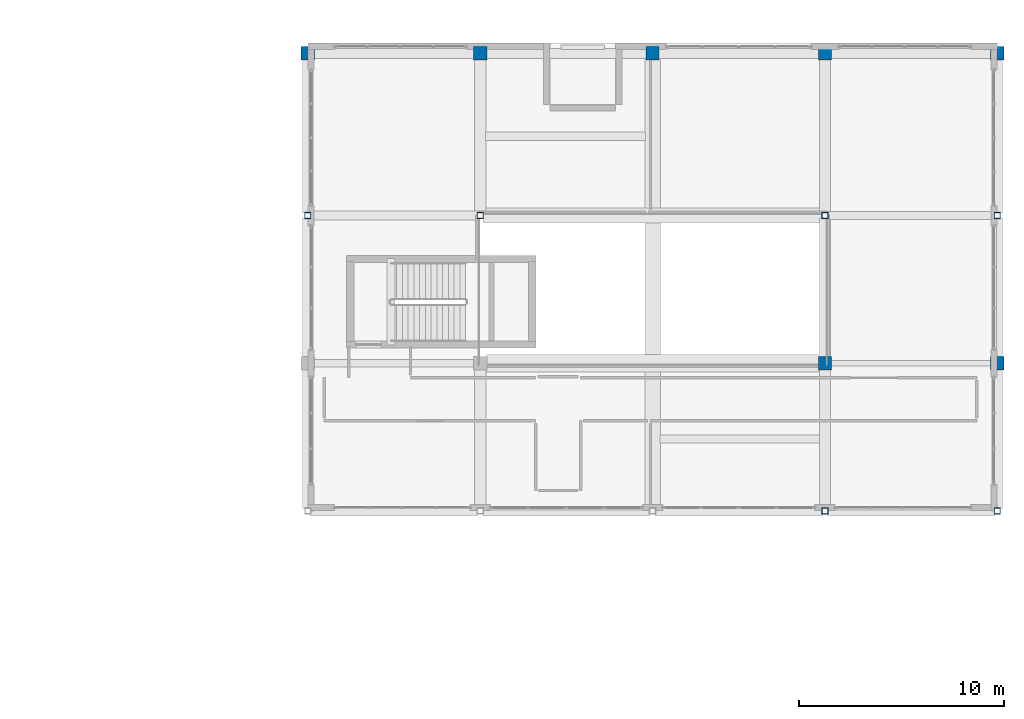
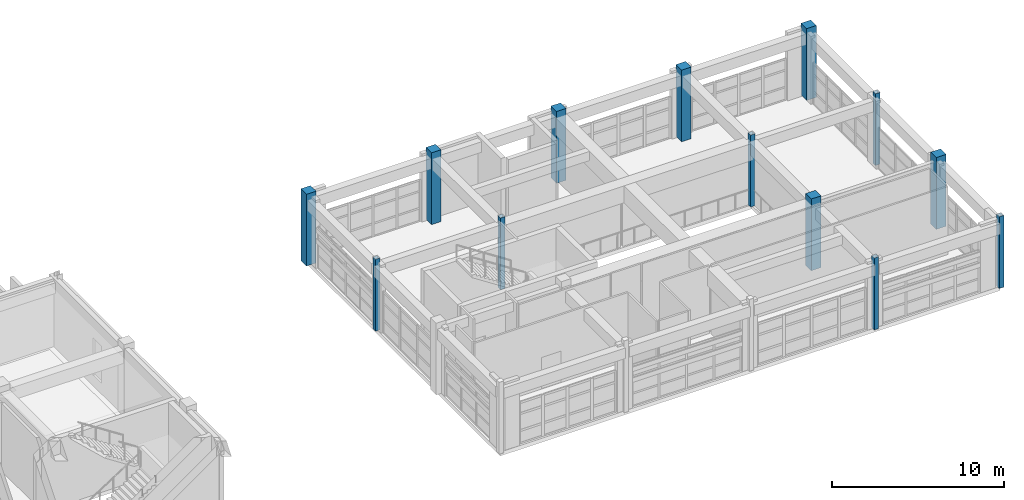
# One storey, part 11 of 103: 13 columns.
"""IFC4 building model written with IfcOpenShell, lengths in metres."""

import ifcopenshell
import ifcopenshell.guid

model = None  # the IFC model being written
_history = None  # IfcOwnerHistory: only IFC2X3 demands one
_inside = {}  # id of a spatial element -> (the spatial element, [elements in it])
_under = {}  # id of a project, library or spatial element -> (it, [spatial elements below it])
_declared = {}  # id of a project -> (the project, [libraries it declares])
_typed = {}  # id of a type object -> (the type object, [elements of that type])
_made_of = {}  # id of a material, layer set ... -> (it, [elements and type objects made of it])


def new_model(schema):
    """Start an empty IFC model of exactly this schema.

    Asked for "IFC4X3", IfcOpenShell would pick the latest addendum, in which some entities
    have other attributes; the version numbers below select the first issue.
    IFC2X3 requires an IfcOwnerHistory on every rooted entity: one is made here for all.
    """
    global model, _history
    if schema == "IFC4X3":
        model = ifcopenshell.file(schema_version=(4, 3, 0, 0))
    else:
        model = ifcopenshell.file(schema=schema)
    _inside.clear()
    _under.clear()
    _declared.clear()
    _typed.clear()
    _made_of.clear()
    _history = None
    if model.schema == "IFC2X3":
        org = make("IfcOrganization", Name="unknown")
        user = make(
            "IfcPersonAndOrganization",
            ThePerson=make("IfcPerson", FamilyName="unknown"),
            TheOrganization=org,
        )
        app = make(
            "IfcApplication",
            ApplicationDeveloper=org,
            Version="unknown",
            ApplicationFullName="unknown",
            ApplicationIdentifier="unknown",
        )
        _history = make(
            "IfcOwnerHistory",
            OwningUser=user,
            OwningApplication=app,
            ChangeAction="ADDED",
            CreationDate=0,
        )
    return model


def make(cls, **values):
    """One entity of the class cls with the attributes given. An attribute that is None is left unset."""
    return model.create_entity(
        cls, **{name: value for name, value in values.items() if value is not None}
    )


def rooted(cls, **values):
    """An entity with a GlobalId (a new one), such as an element, a storey or a relation."""
    return make(cls, GlobalId=ifcopenshell.guid.new(), OwnerHistory=_history, **values)


def si_unit(unit_type, name, prefix=None):
    """IfcSIUnit, for example si_unit("LENGTHUNIT", "METRE", prefix="MILLI")."""
    return make("IfcSIUnit", UnitType=unit_type, Prefix=prefix, Name=name)


def assignment(units):
    """IfcUnitAssignment: the units of a project."""
    return None if units is None else make("IfcUnitAssignment", Units=units)


def point(xyz):
    """IfcCartesianPoint."""
    return None if xyz is None else make("IfcCartesianPoint", Coordinates=xyz)


def direction(xyz):
    """IfcDirection."""
    return None if xyz is None else make("IfcDirection", DirectionRatios=xyz)


def frame(location, z_axis=None, x_axis=None):
    """IfcAxis2Placement3D, a coordinate frame: its origin and axes. An axis left out is left unset."""
    return make(
        "IfcAxis2Placement3D",
        Location=point(location),
        Axis=direction(z_axis),
        RefDirection=direction(x_axis),
    )


def frame_2d(location, x_axis=None):
    """IfcAxis2Placement2D, a coordinate frame in the plane: its origin and x axis."""
    return make(
        "IfcAxis2Placement2D", Location=point(location), RefDirection=direction(x_axis)
    )


def origin():
    """The frame at (0, 0, 0) with its axes left unset."""
    return frame((0.0, 0.0, 0.0))


def origin_2d():
    """The frame at (0, 0) in the plane with its x axis left unset."""
    return frame_2d((0.0, 0.0))


def place(relative_to, where):
    """IfcLocalPlacement: puts the frame where relative to a parent placement (None: the world)."""
    return make(
        "IfcLocalPlacement", PlacementRelTo=relative_to, RelativePlacement=where
    )


def context(
    kind, dimensions, precision=None, world=None, true_north=None, identifier=None
):
    """IfcGeometricRepresentationContext, for example the 3D "Model" context."""
    return make(
        "IfcGeometricRepresentationContext",
        ContextIdentifier=identifier,
        ContextType=kind,
        CoordinateSpaceDimension=dimensions,
        Precision=precision,
        WorldCoordinateSystem=world,
        TrueNorth=true_north,
    )


def subcontext(parent, identifier, kind, view, scale=None):
    """IfcGeometricRepresentationSubContext, for example "Body" below "Model"."""
    return make(
        "IfcGeometricRepresentationSubContext",
        ContextIdentifier=identifier,
        ContextType=kind,
        ParentContext=parent,
        TargetScale=scale,
        TargetView=view,
    )


def project(units=None, contexts=None):
    """IfcProject with its units and contexts."""
    return rooted(
        "IfcProject",
        Name="project",
        RepresentationContexts=contexts,
        UnitsInContext=assignment(units),
    )


def spatial(cls, under=None, at=None, **own):
    """A site, building, storey or space (cls), placed at a placement, below another one or the project."""
    s = rooted(cls, ObjectPlacement=at, **own)
    if under is not None:
        _under.setdefault(under.id(), (under, []))[1].append(s)
    return s


def profile(cls, at=None, kind="AREA", **sizes):
    """A parametric profile (cls). Its sizes go by their IFC names, for example OverallWidth=200.0."""
    return make(cls, ProfileType=kind, Position=at, **sizes)


def rectangle(**sizes):
    """IfcRectangleProfileDef."""
    return profile("IfcRectangleProfileDef", **sizes)


def hollow_rectangle(**sizes):
    """IfcRectangleHollowProfileDef."""
    return profile("IfcRectangleHollowProfileDef", **sizes)


def extrude(swept, where, along, depth):
    """IfcExtrudedAreaSolid: the profile swept, set in the frame where, extruded along a direction by depth."""
    return make(
        "IfcExtrudedAreaSolid",
        SweptArea=swept,
        Position=where,
        ExtrudedDirection=direction(along),
        Depth=depth,
    )


def shape(context_of_items, identifier, shape_type, items):
    """IfcShapeRepresentation: the items that make up one representation, for example the "Body"."""
    return make(
        "IfcShapeRepresentation",
        ContextOfItems=context_of_items,
        RepresentationIdentifier=identifier,
        RepresentationType=shape_type,
        Items=items,
    )


def material(Name=None, Category=None):
    """IfcMaterial."""
    return make("IfcMaterial", Name=Name, Category=Category)


def material_profile(
    of_material, cross_section, Name=None, Category=None, Priority=None
):
    """IfcMaterialProfile: a cross section and its material."""
    return make(
        "IfcMaterialProfile",
        Name=Name,
        Material=of_material,
        Profile=cross_section,
        Priority=Priority,
        Category=Category,
    )


def profile_set(profiles, Name=None, composite=None):
    """IfcMaterialProfileSet."""
    return make(
        "IfcMaterialProfileSet",
        Name=Name,
        MaterialProfiles=profiles,
        CompositeProfile=composite,
    )


def made_of(thing, what):
    """Note that an element or type object is made of a material, layer set ...; save() writes the relation."""
    if what is not None:
        _made_of.setdefault(what.id(), (what, []))[1].append(thing)
    return thing


def type_object(cls, material=None, **own):
    """A type object (cls), such as IfcWallType, which elements share."""
    return made_of(rooted(cls, **own), material)


def element(
    cls,
    number,
    at=None,
    inside=None,
    cuts=None,
    type_object=None,
    material=None,
    context=None,
    identifier="Body",
    shape_type=None,
    held_by="IfcProductDefinitionShape",
    body=None,
    shapes=None,
    **own,
):
    """One element of the class cls, such as IfcWall. Its Tag is "e" and its number.

    at: its placement. inside: the storey or other place that contains it. cuts: it is an
    opening in that element (IfcRelVoidsElement). A single representation is given by context,
    identifier, shape_type and body (its items); several are given by shapes. held_by: the class
    of the entity that holds the representations. save() writes the other relations.
    """
    e = rooted(cls, Tag="e%d" % number, ObjectPlacement=at, **own)
    if body is not None:
        shapes = [shape(context, identifier, shape_type, body)]
    if shapes is not None:
        e.Representation = make(held_by, Representations=shapes)
    if inside is not None:
        _inside.setdefault(inside.id(), (inside, []))[1].append(e)
    if cuts is not None:
        rooted(
            "IfcRelVoidsElement", RelatingBuildingElement=cuts, RelatedOpeningElement=e
        )
    if type_object is not None:
        _typed.setdefault(type_object.id(), (type_object, []))[1].append(e)
    return made_of(e, material)


def aggregate(whole, parts):
    """IfcRelAggregates: a whole, such as a stair, and the parts it consists of."""
    return rooted("IfcRelAggregates", RelatingObject=whole, RelatedObjects=parts)


def save(model, path):
    """Write the relations noted so far, then the file.

    IfcRelAggregates (storeys below a building ...), IfcRelContainedInSpatialStructure (elements
    in a storey), IfcRelDefinesByType, IfcRelAssociatesMaterial and IfcRelDeclares: one each for
    every whole, place, type object, material and project.
    """
    for whole, parts in _under.values():
        aggregate(whole, parts)
    for where, things in _inside.values():
        rooted(
            "IfcRelContainedInSpatialStructure",
            RelatedElements=things,
            RelatingStructure=where,
        )
    for kind, things in _typed.values():
        rooted("IfcRelDefinesByType", RelatedObjects=things, RelatingType=kind)
    for what, things in _made_of.values():
        rooted("IfcRelAssociatesMaterial", RelatedObjects=things, RelatingMaterial=what)
    for by, libraries in _declared.values():
        rooted("IfcRelDeclares", RelatingContext=by, RelatedDefinitions=libraries)
    model.write(path)


model = new_model("IFC4")

# Units and contexts
model_context = context("Model", 3, precision=1e-05, world=origin(), true_north=direction((0.0, 1.0)))
body_context = subcontext(model_context, "Body", "Model", "MODEL_VIEW")
ifc_project = project(units=[si_unit("LENGTHUNIT", "METRE"), si_unit("AREAUNIT", "SQUARE_METRE"), si_unit("VOLUMEUNIT", "CUBIC_METRE"), si_unit("PLANEANGLEUNIT", "RADIAN"), si_unit("MASSUNIT", "GRAM", prefix="KILO")], contexts=[model_context])

# Site, building, storey
site_placement = place(None, origin())
site = spatial("IfcSite", under=ifc_project, at=site_placement, CompositionType="ELEMENT")
building_placement = place(site_placement, origin())
building = spatial("IfcBuilding", under=site, at=building_placement, Name="Quendrovan Civic Courthouse", CompositionType="ELEMENT")
storey_placement = place(building_placement, frame((0.0, 0.0, 15.300048828125)))
storey = spatial("IfcBuildingStorey", under=building, at=storey_placement, Name="L04", CompositionType="ELEMENT", Elevation=15.300048828125)

# Columns
ifc_material_1 = material(Name="Concrete C45/55", Category="concrete")
ifc_material_profile_1 = material_profile(ifc_material_1, rectangle(XDim=0.64990234375, YDim=0.64990234375, at=origin_2d()), Name="RC-COL-650x650")
ifc_profile_set_1 = profile_set([ifc_material_profile_1], Name="Concrete C45/55")
column_type_1 = type_object("IfcColumnType", Name="COL-RC650", PredefinedType="COLUMN", material=ifc_profile_set_1)
for number, where, z_axis, x_axis, name in (
    (1, (109.199951171875, 109.89990234375, 0.0), (0.0, 0.0, 1.0), (1.0, 0.0, 0.0), "L04 Column 14-Q"),
    (2, (117.60009765625, 109.89990234375, 0.0), (0.0, 0.0, 1.0), (1.0, 0.0, 0.0), "L04 Column 15-Q"),
    (3, (126.0, 109.89990234375, 0.0), (0.0, 0.0, 1.0), (1.0, 0.0, 0.0), "L04 Column 16-Q"),
    (4, (134.39990234375, 94.800048828125, 0.0), (0.0, 0.0, 1.0), (1.0, 0.0, 0.0), "L04 Column 17-N"),
    (5, (134.39990234375, 109.89990234375, 0.0), (0.0, 0.0, 1.0), (1.0, 0.0, 0.0), "L04 Column 17-Q"),
    (6, (142.800048828125, 94.800048828125, 0.0), (0.0, 0.0, 1.0), (1.0, 0.0, 0.0), "L04 Column 18-N"),
    (7, (142.800048828125, 109.89990234375, 0.0), (0.0, 0.0, 1.0), (1.0, 0.0, 0.0), "L04 Column 18-Q"),
):
    element("IfcColumn", number, at=place(storey_placement, frame(where, z_axis=z_axis, x_axis=x_axis)), inside=storey, type_object=column_type_1, Name=name, PredefinedType="COLUMN", context=body_context, shape_type="SweptSolid", body=[
        extrude(rectangle(XDim=0.64990234375, YDim=0.64990234375, at=origin_2d()), origin(), (0.0, 0.0, 1.0), 5.099853515625),
    ])
ifc_material_2 = material(Name="Steel ASTM A500 Grade C", Category="steel")
ifc_material_profile_2 = material_profile(ifc_material_2, hollow_rectangle(XDim=0.300048828125, YDim=0.300048828125, WallThickness=0.011962890625, at=origin_2d()), Name="HSS300x300x12")
ifc_profile_set_2 = profile_set([ifc_material_profile_2], Name="Steel ASTM A500 Grade C")
column_type_2 = type_object("IfcColumnType", Name="COL-STL-HSS300S", PredefinedType="COLUMN", material=ifc_profile_set_2)
for number, where, z_axis, x_axis, name in (
    (8, (109.199951171875, 102.0, 0.0), (0.0, 0.0, 1.0), (1.0, 0.0, 0.0), "L04 Column 14-P"),
    (9, (117.60009765625, 102.0, 0.0), (0.0, 0.0, 1.0), (1.0, 0.0, 0.0), "L04 Column 15-P"),
    (10, (134.39990234375, 87.60009765625, 0.0), (0.0, 0.0, 1.0), (1.0, 0.0, 0.0), "L04 Column 17-M"),
    (11, (134.39990234375, 102.0, 0.0), (0.0, 0.0, 1.0), (1.0, 0.0, 0.0), "L04 Column 17-P"),
    (12, (142.800048828125, 87.60009765625, 0.0), (0.0, 0.0, 1.0), (1.0, 0.0, 0.0), "L04 Column 18-M"),
    (13, (142.800048828125, 102.0, 0.0), (0.0, 0.0, 1.0), (1.0, 0.0, 0.0), "L04 Column 18-P"),
):
    element("IfcColumn", number, at=place(storey_placement, frame(where, z_axis=z_axis, x_axis=x_axis)), inside=storey, type_object=column_type_2, Name=name, PredefinedType="COLUMN", context=body_context, shape_type="SweptSolid", body=[
        extrude(hollow_rectangle(XDim=0.300048828125, YDim=0.300048828125, WallThickness=0.011962890625, at=origin_2d()), origin(), (0.0, 0.0, 1.0), 5.099853515625),
    ])

save(model, "model.ifc")
